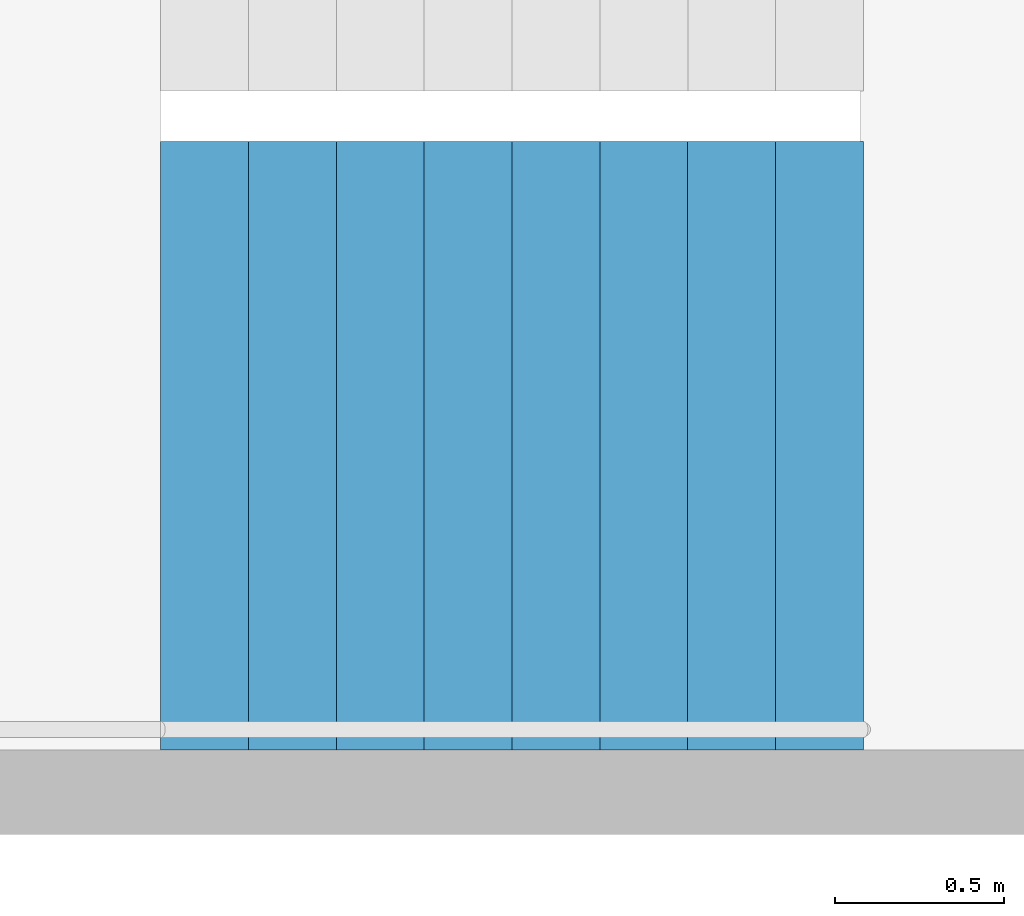
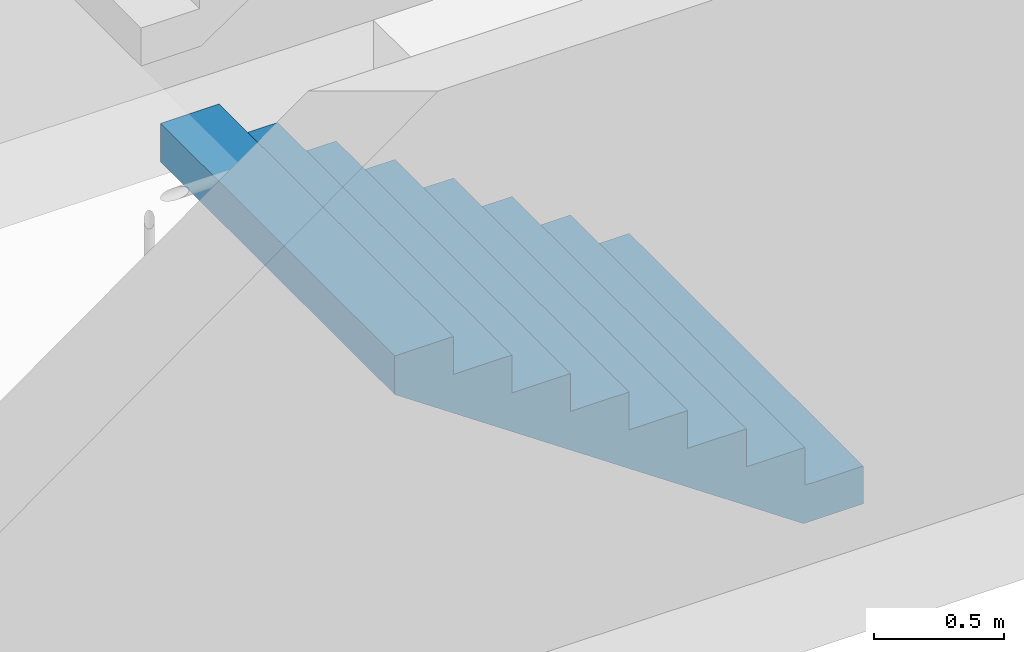
# One storey, part 27 of 29: 1 stair flight, 1 element without a shape of its own.
"""IFC4 building model written with IfcOpenShell, lengths in metres."""

from ifc_helpers import new_model, si_unit, direction, frame, origin, place, context, subcontext, project, spatial, triangles, material, type_object, element, aggregate, save


model = new_model("IFC4")

# Units and contexts
model_context = context("Model", 3, precision=1e-05, world=origin(), true_north=direction((0.0, 1.0)))
body_context = subcontext(model_context, "Body", "Model", "MODEL_VIEW")
ifc_project = project(units=[si_unit("LENGTHUNIT", "METRE"), si_unit("AREAUNIT", "SQUARE_METRE"), si_unit("VOLUMEUNIT", "CUBIC_METRE"), si_unit("PLANEANGLEUNIT", "RADIAN"), si_unit("MASSUNIT", "GRAM", prefix="KILO")], contexts=[model_context])

# Site, building, storey
site_placement = place(None, origin())
site = spatial("IfcSite", under=ifc_project, at=site_placement, CompositionType="ELEMENT")
building_placement = place(site_placement, origin())
building = spatial("IfcBuilding", under=site, at=building_placement, Name="Hakoniwa Tower and Hamabe Station Hall", CompositionType="ELEMENT")
storey_placement = place(building_placement, frame((0.0, 0.0, 97.800048828125)))
storey = spatial("IfcBuildingStorey", under=building, at=storey_placement, Name="L27", CompositionType="ELEMENT", Elevation=97.800048828125)

# Stair, stair flight
ifc_material_1 = material(Name="Concrete C40", Category="concrete")
stair_type = type_object("IfcStairType", Name="ESCAPE STAIR 1800", PredefinedType="HALF_TURN_STAIR", material=ifc_material_1)
stair_placement = place(storey_placement, origin())
stair = element("IfcStair", 1, at=stair_placement, inside=storey, type_object=stair_type, Name="Escape stair ST-3 L27", PredefinedType="HALF_TURN_STAIR")
ifc_material_2 = material(Name="Concrete C40", Category="concrete")
stair_flight_type = type_object("IfcStairFlightType", Name="STAIR FLIGHT 1800", PredefinedType="STRAIGHT", material=ifc_material_2)
stair_flight_placement = place(storey_placement, frame((24.39990234375, 4.64990234375, 0.0), z_axis=(0.0, 0.0, 1.0), x_axis=(-1.0, 0.0, 0.0)))
stair_flight = element("IfcStairFlight", 2, at=stair_flight_placement, type_object=stair_flight_type, Name="ST-3 flight 1", NumberOfRisers=9, NumberOfTreads=8, PredefinedType="STRAIGHT", RiserHeight=0.177777778, TreadLength=0.26, context=body_context, shape_type="Tessellation", body=[
    triangles([(0.0, 0.89990234375, 0.0), (0.260009765625, 0.89990234375, 0.0), (0.265625, 0.89990234375, 0.0), (0.52001953125, 0.89990234375, 0.174072265625), (0.780029296875, 0.89990234375, 0.351806640625), (1.0400390625, 0.89990234375, 0.529541015625), (1.300048828125, 0.89990234375, 0.707275390625), (1.56005859375, 0.89990234375, 0.885009765625), (1.820068359375, 0.89990234375, 1.062744140625), (2.080078125, 0.89990234375, 1.24072265625), (2.080078125, 0.89990234375, 1.422119140625), (1.820068359375, 0.89990234375, 1.422119140625), (1.820068359375, 0.89990234375, 1.244384765625), (1.56005859375, 0.89990234375, 1.244384765625), (1.56005859375, 0.89990234375, 1.066650390625), (1.300048828125, 0.89990234375, 1.066650390625), (1.300048828125, 0.89990234375, 0.888916015625), (1.0400390625, 0.89990234375, 0.888916015625), (1.0400390625, 0.89990234375, 0.711181640625), (0.780029296875, 0.89990234375, 0.711181640625), (0.780029296875, 0.89990234375, 0.533447265625), (0.52001953125, 0.89990234375, 0.533447265625), (0.52001953125, 0.89990234375, 0.35546875), (0.265625, 0.89990234375, 0.35546875), (0.260009765625, 0.89990234375, 0.35546875), (0.260009765625, 0.89990234375, 0.177734375), (0.0, 0.89990234375, 0.177734375), (0.0, 0.06005859375, 0.0), (0.260009765625, 0.06005859375, 0.0), (0.265625, 0.06005859375, 0.0), (0.52001953125, 0.06005859375, 0.174072265625), (0.780029296875, 0.06005859375, 0.351806640625), (1.0400390625, 0.06005859375, 0.529541015625), (1.300048828125, 0.06005859375, 0.707275390625), (1.56005859375, 0.06005859375, 0.885009765625), (1.820068359375, 0.06005859375, 1.062744140625), (2.080078125, 0.06005859375, 1.24072265625), (2.080078125, 0.06005859375, 1.422119140625), (1.820068359375, 0.06005859375, 1.422119140625), (1.820068359375, 0.06005859375, 1.244384765625), (1.56005859375, 0.06005859375, 1.244384765625), (1.56005859375, 0.06005859375, 1.066650390625), (1.300048828125, 0.06005859375, 1.066650390625), (1.300048828125, 0.06005859375, 0.888916015625), (1.0400390625, 0.06005859375, 0.888916015625), (1.0400390625, 0.06005859375, 0.711181640625), (0.780029296875, 0.06005859375, 0.711181640625), (0.780029296875, 0.06005859375, 0.533447265625), (0.52001953125, 0.06005859375, 0.533447265625), (0.52001953125, 0.06005859375, 0.35546875), (0.265625, 0.06005859375, 0.35546875), (0.260009765625, 0.06005859375, 0.35546875), (0.260009765625, 0.06005859375, 0.177734375), (0.0, 0.06005859375, 0.177734375), (0.0, 0.04296875, 0.0), (0.260009765625, 0.04296875, 0.0), (0.265625, 0.04296875, 0.0), (0.52001953125, 0.04296875, 0.174072265625), (0.780029296875, 0.04296875, 0.351806640625), (1.0400390625, 0.04296875, 0.529541015625), (1.300048828125, 0.04296875, 0.707275390625), (1.56005859375, 0.04296875, 0.885009765625), (1.820068359375, 0.04296875, 1.062744140625), (2.080078125, 0.04296875, 1.24072265625), (2.080078125, 0.04296875, 1.422119140625), (1.820068359375, 0.04296875, 1.422119140625), (1.820068359375, 0.04296875, 1.244384765625), (1.56005859375, 0.04296875, 1.244384765625), (1.56005859375, 0.04296875, 1.066650390625), (1.300048828125, 0.04296875, 1.066650390625), (1.300048828125, 0.04296875, 0.888916015625), (1.0400390625, 0.04296875, 0.888916015625), (1.0400390625, 0.04296875, 0.711181640625), (0.780029296875, 0.04296875, 0.711181640625), (0.780029296875, 0.04296875, 0.533447265625), (0.52001953125, 0.04296875, 0.533447265625), (0.52001953125, 0.04296875, 0.35546875), (0.265625, 0.04296875, 0.35546875), (0.260009765625, 0.04296875, 0.35546875), (0.260009765625, 0.04296875, 0.177734375), (0.0, 0.04296875, 0.177734375), (0.0, 0.025634765625, 0.0), (0.260009765625, 0.025634765625, 0.0), (0.265625, 0.025634765625, 0.0), (0.52001953125, 0.025634765625, 0.174072265625), (0.780029296875, 0.025634765625, 0.351806640625), (1.0400390625, 0.025634765625, 0.529541015625), (1.300048828125, 0.025634765625, 0.707275390625), (1.56005859375, 0.025634765625, 0.885009765625), (1.820068359375, 0.025634765625, 1.062744140625), (2.080078125, 0.025634765625, 1.24072265625), (2.080078125, 0.025634765625, 1.422119140625), (1.820068359375, 0.025634765625, 1.422119140625), (1.820068359375, 0.025634765625, 1.244384765625), (1.56005859375, 0.025634765625, 1.244384765625), (1.56005859375, 0.025634765625, 1.066650390625), (1.300048828125, 0.025634765625, 1.066650390625), (1.300048828125, 0.025634765625, 0.888916015625), (1.0400390625, 0.025634765625, 0.888916015625), (1.0400390625, 0.025634765625, 0.711181640625), (0.780029296875, 0.025634765625, 0.711181640625), (0.780029296875, 0.025634765625, 0.533447265625), (0.52001953125, 0.025634765625, 0.533447265625), (0.52001953125, 0.025634765625, 0.35546875), (0.265625, 0.025634765625, 0.35546875), (0.260009765625, 0.025634765625, 0.35546875), (0.260009765625, 0.025634765625, 0.177734375), (0.0, 0.025634765625, 0.177734375), (0.0, 0.008544921875, 0.0), (0.260009765625, 0.008544921875, 0.0), (0.265625, 0.008544921875, 0.0), (0.52001953125, 0.008544921875, 0.174072265625), (0.780029296875, 0.008544921875, 0.351806640625), (1.0400390625, 0.008544921875, 0.529541015625), (1.300048828125, 0.008544921875, 0.707275390625), (1.56005859375, 0.008544921875, 0.885009765625), (1.820068359375, 0.008544921875, 1.062744140625), (2.080078125, 0.008544921875, 1.24072265625), (2.080078125, 0.008544921875, 1.422119140625), (1.820068359375, 0.008544921875, 1.422119140625), (1.820068359375, 0.008544921875, 1.244384765625), (1.56005859375, 0.008544921875, 1.244384765625), (1.56005859375, 0.008544921875, 1.066650390625), (1.300048828125, 0.008544921875, 1.066650390625), (1.300048828125, 0.008544921875, 0.888916015625), (1.0400390625, 0.008544921875, 0.888916015625), (1.0400390625, 0.008544921875, 0.711181640625), (0.780029296875, 0.008544921875, 0.711181640625), (0.780029296875, 0.008544921875, 0.533447265625), (0.52001953125, 0.008544921875, 0.533447265625), (0.52001953125, 0.008544921875, 0.35546875), (0.265625, 0.008544921875, 0.35546875), (0.260009765625, 0.008544921875, 0.35546875), (0.260009765625, 0.008544921875, 0.177734375), (0.0, 0.008544921875, 0.177734375), (0.0, -0.008544921875, 0.0), (0.260009765625, -0.008544921875, 0.0), (0.265625, -0.008544921875, 0.0), (0.52001953125, -0.008544921875, 0.174072265625), (0.780029296875, -0.008544921875, 0.351806640625), (1.0400390625, -0.008544921875, 0.529541015625), (1.300048828125, -0.008544921875, 0.707275390625), (1.56005859375, -0.008544921875, 0.885009765625), (1.820068359375, -0.008544921875, 1.062744140625), (2.080078125, -0.008544921875, 1.24072265625), (2.080078125, -0.008544921875, 1.422119140625), (1.820068359375, -0.008544921875, 1.422119140625), (1.820068359375, -0.008544921875, 1.244384765625), (1.56005859375, -0.008544921875, 1.244384765625), (1.56005859375, -0.008544921875, 1.066650390625), (1.300048828125, -0.008544921875, 1.066650390625), (1.300048828125, -0.008544921875, 0.888916015625), (1.0400390625, -0.008544921875, 0.888916015625), (1.0400390625, -0.008544921875, 0.711181640625), (0.780029296875, -0.008544921875, 0.711181640625), (0.780029296875, -0.008544921875, 0.533447265625), (0.52001953125, -0.008544921875, 0.533447265625), (0.52001953125, -0.008544921875, 0.35546875), (0.265625, -0.008544921875, 0.35546875), (0.260009765625, -0.008544921875, 0.35546875), (0.260009765625, -0.008544921875, 0.177734375), (0.0, -0.008544921875, 0.177734375), (0.0, -0.025634765625, 0.0), (0.260009765625, -0.025634765625, 0.0), (0.265625, -0.025634765625, 0.0), (0.52001953125, -0.025634765625, 0.174072265625), (0.780029296875, -0.025634765625, 0.351806640625), (1.0400390625, -0.025634765625, 0.529541015625), (1.300048828125, -0.025634765625, 0.707275390625), (1.56005859375, -0.025634765625, 0.885009765625), (1.820068359375, -0.025634765625, 1.062744140625), (2.080078125, -0.025634765625, 1.24072265625), (2.080078125, -0.025634765625, 1.422119140625), (1.820068359375, -0.025634765625, 1.422119140625), (1.820068359375, -0.025634765625, 1.244384765625), (1.56005859375, -0.025634765625, 1.244384765625), (1.56005859375, -0.025634765625, 1.066650390625), (1.300048828125, -0.025634765625, 1.066650390625), (1.300048828125, -0.025634765625, 0.888916015625), (1.0400390625, -0.025634765625, 0.888916015625), (1.0400390625, -0.025634765625, 0.711181640625), (0.780029296875, -0.025634765625, 0.711181640625), (0.780029296875, -0.025634765625, 0.533447265625), (0.52001953125, -0.025634765625, 0.533447265625), (0.52001953125, -0.025634765625, 0.35546875), (0.265625, -0.025634765625, 0.35546875), (0.260009765625, -0.025634765625, 0.35546875), (0.260009765625, -0.025634765625, 0.177734375), (0.0, -0.025634765625, 0.177734375), (0.0, -0.04296875, 0.0), (0.260009765625, -0.04296875, 0.0), (0.265625, -0.04296875, 0.0), (0.52001953125, -0.04296875, 0.174072265625), (0.780029296875, -0.04296875, 0.351806640625), (1.0400390625, -0.04296875, 0.529541015625), (1.300048828125, -0.04296875, 0.707275390625), (1.56005859375, -0.04296875, 0.885009765625), (1.820068359375, -0.04296875, 1.062744140625), (2.080078125, -0.04296875, 1.24072265625), (2.080078125, -0.04296875, 1.422119140625), (1.820068359375, -0.04296875, 1.422119140625), (1.820068359375, -0.04296875, 1.244384765625), (1.56005859375, -0.04296875, 1.244384765625), (1.56005859375, -0.04296875, 1.066650390625), (1.300048828125, -0.04296875, 1.066650390625), (1.300048828125, -0.04296875, 0.888916015625), (1.0400390625, -0.04296875, 0.888916015625), (1.0400390625, -0.04296875, 0.711181640625), (0.780029296875, -0.04296875, 0.711181640625), (0.780029296875, -0.04296875, 0.533447265625), (0.52001953125, -0.04296875, 0.533447265625), (0.52001953125, -0.04296875, 0.35546875), (0.265625, -0.04296875, 0.35546875), (0.260009765625, -0.04296875, 0.35546875), (0.260009765625, -0.04296875, 0.177734375), (0.0, -0.04296875, 0.177734375), (0.0, -0.06005859375, 0.0), (0.260009765625, -0.06005859375, 0.0), (0.265625, -0.06005859375, 0.0), (0.52001953125, -0.06005859375, 0.174072265625), (0.780029296875, -0.06005859375, 0.351806640625), (1.0400390625, -0.06005859375, 0.529541015625), (1.300048828125, -0.06005859375, 0.707275390625), (1.56005859375, -0.06005859375, 0.885009765625), (1.820068359375, -0.06005859375, 1.062744140625), (2.080078125, -0.06005859375, 1.24072265625), (2.080078125, -0.06005859375, 1.422119140625), (1.820068359375, -0.06005859375, 1.422119140625), (1.820068359375, -0.06005859375, 1.244384765625), (1.56005859375, -0.06005859375, 1.244384765625), (1.56005859375, -0.06005859375, 1.066650390625), (1.300048828125, -0.06005859375, 1.066650390625), (1.300048828125, -0.06005859375, 0.888916015625), (1.0400390625, -0.06005859375, 0.888916015625), (1.0400390625, -0.06005859375, 0.711181640625), (0.780029296875, -0.06005859375, 0.711181640625), (0.780029296875, -0.06005859375, 0.533447265625), (0.52001953125, -0.06005859375, 0.533447265625), (0.52001953125, -0.06005859375, 0.35546875), (0.265625, -0.06005859375, 0.35546875), (0.260009765625, -0.06005859375, 0.35546875), (0.260009765625, -0.06005859375, 0.177734375), (0.0, -0.06005859375, 0.177734375), (0.0, -0.89990234375, 0.0), (0.260009765625, -0.89990234375, 0.0), (0.265625, -0.89990234375, 0.0), (0.52001953125, -0.89990234375, 0.174072265625), (0.780029296875, -0.89990234375, 0.351806640625), (1.0400390625, -0.89990234375, 0.529541015625), (1.300048828125, -0.89990234375, 0.707275390625), (1.56005859375, -0.89990234375, 0.885009765625), (1.820068359375, -0.89990234375, 1.062744140625), (2.080078125, -0.89990234375, 1.24072265625), (2.080078125, -0.89990234375, 1.422119140625), (1.820068359375, -0.89990234375, 1.422119140625), (1.820068359375, -0.89990234375, 1.244384765625), (1.56005859375, -0.89990234375, 1.244384765625), (1.56005859375, -0.89990234375, 1.066650390625), (1.300048828125, -0.89990234375, 1.066650390625), (1.300048828125, -0.89990234375, 0.888916015625), (1.0400390625, -0.89990234375, 0.888916015625), (1.0400390625, -0.89990234375, 0.711181640625), (0.780029296875, -0.89990234375, 0.711181640625), (0.780029296875, -0.89990234375, 0.533447265625), (0.52001953125, -0.89990234375, 0.533447265625), (0.52001953125, -0.89990234375, 0.35546875), (0.265625, -0.89990234375, 0.35546875), (0.260009765625, -0.89990234375, 0.35546875), (0.260009765625, -0.89990234375, 0.177734375), (0.0, -0.89990234375, 0.177734375)], [[2, 27, 26], [245, 269, 270], [2, 1, 27], [245, 270, 244], [3, 25, 24], [246, 267, 268], [3, 26, 25], [246, 268, 269], [3, 2, 26], [246, 269, 245], [4, 24, 23], [247, 266, 267], [4, 3, 24], [247, 267, 246], [5, 22, 21], [248, 264, 265], [5, 23, 22], [248, 265, 266], [5, 4, 23], [248, 266, 247], [6, 20, 19], [249, 262, 263], [6, 21, 20], [249, 263, 264], [6, 5, 21], [249, 264, 248], [7, 18, 17], [250, 260, 261], [7, 19, 18], [250, 261, 262], [7, 6, 19], [250, 262, 249], [8, 16, 15], [251, 258, 259], [8, 17, 16], [251, 259, 260], [8, 7, 17], [251, 260, 250], [9, 14, 13], [252, 256, 257], [9, 15, 14], [252, 257, 258], [9, 8, 15], [252, 258, 251], [10, 12, 11], [253, 254, 255], [10, 13, 12], [253, 255, 256], [10, 9, 13], [253, 256, 252], [1, 2, 29], [1, 29, 28], [28, 29, 56], [28, 56, 55], [55, 56, 83], [55, 83, 82], [82, 83, 110], [82, 110, 109], [109, 110, 137], [109, 137, 136], [136, 137, 164], [136, 164, 163], [163, 164, 191], [163, 191, 190], [190, 191, 218], [190, 218, 217], [217, 218, 245], [217, 245, 244], [2, 3, 30], [2, 30, 29], [29, 30, 57], [29, 57, 56], [56, 57, 84], [56, 84, 83], [83, 84, 111], [83, 111, 110], [110, 111, 138], [110, 138, 137], [137, 138, 165], [137, 165, 164], [164, 165, 192], [164, 192, 191], [191, 192, 219], [191, 219, 218], [218, 219, 246], [218, 246, 245], [3, 4, 31], [3, 31, 30], [30, 31, 58], [30, 58, 57], [57, 58, 85], [57, 85, 84], [84, 85, 112], [84, 112, 111], [111, 112, 139], [111, 139, 138], [138, 139, 166], [138, 166, 165], [165, 166, 193], [165, 193, 192], [192, 193, 220], [192, 220, 219], [219, 220, 247], [219, 247, 246], [4, 5, 32], [4, 32, 31], [31, 32, 59], [31, 59, 58], [58, 59, 86], [58, 86, 85], [85, 86, 113], [85, 113, 112], [112, 113, 140], [112, 140, 139], [139, 140, 167], [139, 167, 166], [166, 167, 194], [166, 194, 193], [193, 194, 221], [193, 221, 220], [220, 221, 248], [220, 248, 247], [5, 6, 33], [5, 33, 32], [32, 33, 60], [32, 60, 59], [59, 60, 87], [59, 87, 86], [86, 87, 114], [86, 114, 113], [113, 114, 141], [113, 141, 140], [140, 141, 168], [140, 168, 167], [167, 168, 195], [167, 195, 194], [194, 195, 222], [194, 222, 221], [221, 222, 249], [221, 249, 248], [6, 7, 34], [6, 34, 33], [33, 34, 61], [33, 61, 60], [60, 61, 88], [60, 88, 87], [87, 88, 115], [87, 115, 114], [114, 115, 142], [114, 142, 141], [141, 142, 169], [141, 169, 168], [168, 169, 196], [168, 196, 195], [195, 196, 223], [195, 223, 222], [222, 223, 250], [222, 250, 249], [7, 8, 35], [7, 35, 34], [34, 35, 62], [34, 62, 61], [61, 62, 89], [61, 89, 88], [88, 89, 116], [88, 116, 115], [115, 116, 143], [115, 143, 142], [142, 143, 170], [142, 170, 169], [169, 170, 197], [169, 197, 196], [196, 197, 224], [196, 224, 223], [223, 224, 251], [223, 251, 250], [8, 9, 36], [8, 36, 35], [35, 36, 63], [35, 63, 62], [62, 63, 90], [62, 90, 89], [89, 90, 117], [89, 117, 116], [116, 117, 144], [116, 144, 143], [143, 144, 171], [143, 171, 170], [170, 171, 198], [170, 198, 197], [197, 198, 225], [197, 225, 224], [224, 225, 252], [224, 252, 251], [9, 10, 37], [9, 37, 36], [36, 37, 64], [36, 64, 63], [63, 64, 91], [63, 91, 90], [90, 91, 118], [90, 118, 117], [117, 118, 145], [117, 145, 144], [144, 145, 172], [144, 172, 171], [171, 172, 199], [171, 199, 198], [198, 199, 226], [198, 226, 225], [225, 226, 253], [225, 253, 252], [10, 11, 38], [10, 38, 37], [37, 38, 65], [37, 65, 64], [64, 65, 92], [64, 92, 91], [91, 92, 119], [91, 119, 118], [118, 119, 146], [118, 146, 145], [145, 146, 173], [145, 173, 172], [172, 173, 200], [172, 200, 199], [199, 200, 227], [199, 227, 226], [226, 227, 254], [226, 254, 253], [11, 12, 39], [11, 39, 38], [38, 39, 66], [38, 66, 65], [65, 66, 93], [65, 93, 92], [92, 93, 120], [92, 120, 119], [119, 120, 147], [119, 147, 146], [146, 147, 174], [146, 174, 173], [173, 174, 201], [173, 201, 200], [200, 201, 228], [200, 228, 227], [227, 228, 255], [227, 255, 254], [12, 13, 40], [12, 40, 39], [39, 40, 67], [39, 67, 66], [66, 67, 94], [66, 94, 93], [93, 94, 121], [93, 121, 120], [120, 121, 148], [120, 148, 147], [147, 148, 175], [147, 175, 174], [174, 175, 202], [174, 202, 201], [201, 202, 229], [201, 229, 228], [228, 229, 256], [228, 256, 255], [13, 14, 41], [13, 41, 40], [40, 41, 68], [40, 68, 67], [67, 68, 95], [67, 95, 94], [94, 95, 122], [94, 122, 121], [121, 122, 149], [121, 149, 148], [148, 149, 176], [148, 176, 175], [175, 176, 203], [175, 203, 202], [202, 203, 230], [202, 230, 229], [229, 230, 257], [229, 257, 256], [14, 15, 42], [14, 42, 41], [41, 42, 69], [41, 69, 68], [68, 69, 96], [68, 96, 95], [95, 96, 123], [95, 123, 122], [122, 123, 150], [122, 150, 149], [149, 150, 177], [149, 177, 176], [176, 177, 204], [176, 204, 203], [203, 204, 231], [203, 231, 230], [230, 231, 258], [230, 258, 257], [15, 16, 43], [15, 43, 42], [42, 43, 70], [42, 70, 69], [69, 70, 97], [69, 97, 96], [96, 97, 124], [96, 124, 123], [123, 124, 151], [123, 151, 150], [150, 151, 178], [150, 178, 177], [177, 178, 205], [177, 205, 204], [204, 205, 232], [204, 232, 231], [231, 232, 259], [231, 259, 258], [16, 17, 44], [16, 44, 43], [43, 44, 71], [43, 71, 70], [70, 71, 98], [70, 98, 97], [97, 98, 125], [97, 125, 124], [124, 125, 152], [124, 152, 151], [151, 152, 179], [151, 179, 178], [178, 179, 206], [178, 206, 205], [205, 206, 233], [205, 233, 232], [232, 233, 260], [232, 260, 259], [17, 18, 45], [17, 45, 44], [44, 45, 72], [44, 72, 71], [71, 72, 99], [71, 99, 98], [98, 99, 126], [98, 126, 125], [125, 126, 153], [125, 153, 152], [152, 153, 180], [152, 180, 179], [179, 180, 207], [179, 207, 206], [206, 207, 234], [206, 234, 233], [233, 234, 261], [233, 261, 260], [18, 19, 46], [18, 46, 45], [45, 46, 73], [45, 73, 72], [72, 73, 100], [72, 100, 99], [99, 100, 127], [99, 127, 126], [126, 127, 154], [126, 154, 153], [153, 154, 181], [153, 181, 180], [180, 181, 208], [180, 208, 207], [207, 208, 235], [207, 235, 234], [234, 235, 262], [234, 262, 261], [19, 20, 47], [19, 47, 46], [46, 47, 74], [46, 74, 73], [73, 74, 101], [73, 101, 100], [100, 101, 128], [100, 128, 127], [127, 128, 155], [127, 155, 154], [154, 155, 182], [154, 182, 181], [181, 182, 209], [181, 209, 208], [208, 209, 236], [208, 236, 235], [235, 236, 263], [235, 263, 262], [20, 21, 48], [20, 48, 47], [47, 48, 75], [47, 75, 74], [74, 75, 102], [74, 102, 101], [101, 102, 129], [101, 129, 128], [128, 129, 156], [128, 156, 155], [155, 156, 183], [155, 183, 182], [182, 183, 210], [182, 210, 209], [209, 210, 237], [209, 237, 236], [236, 237, 264], [236, 264, 263], [21, 22, 49], [21, 49, 48], [48, 49, 76], [48, 76, 75], [75, 76, 103], [75, 103, 102], [102, 103, 130], [102, 130, 129], [129, 130, 157], [129, 157, 156], [156, 157, 184], [156, 184, 183], [183, 184, 211], [183, 211, 210], [210, 211, 238], [210, 238, 237], [237, 238, 265], [237, 265, 264], [22, 23, 50], [22, 50, 49], [49, 50, 77], [49, 77, 76], [76, 77, 104], [76, 104, 103], [103, 104, 131], [103, 131, 130], [130, 131, 158], [130, 158, 157], [157, 158, 185], [157, 185, 184], [184, 185, 212], [184, 212, 211], [211, 212, 239], [211, 239, 238], [238, 239, 266], [238, 266, 265], [23, 24, 51], [23, 51, 50], [50, 51, 78], [50, 78, 77], [77, 78, 105], [77, 105, 104], [104, 105, 132], [104, 132, 131], [131, 132, 159], [131, 159, 158], [158, 159, 186], [158, 186, 185], [185, 186, 213], [185, 213, 212], [212, 213, 240], [212, 240, 239], [239, 240, 267], [239, 267, 266], [24, 25, 52], [24, 52, 51], [51, 52, 79], [51, 79, 78], [78, 79, 106], [78, 106, 105], [105, 106, 133], [105, 133, 132], [132, 133, 160], [132, 160, 159], [159, 160, 187], [159, 187, 186], [186, 187, 214], [186, 214, 213], [213, 214, 241], [213, 241, 240], [240, 241, 268], [240, 268, 267], [25, 26, 53], [25, 53, 52], [52, 53, 80], [52, 80, 79], [79, 80, 107], [79, 107, 106], [106, 107, 134], [106, 134, 133], [133, 134, 161], [133, 161, 160], [160, 161, 188], [160, 188, 187], [187, 188, 215], [187, 215, 214], [214, 215, 242], [214, 242, 241], [241, 242, 269], [241, 269, 268], [26, 27, 54], [26, 54, 53], [53, 54, 81], [53, 81, 80], [80, 81, 108], [80, 108, 107], [107, 108, 135], [107, 135, 134], [134, 135, 162], [134, 162, 161], [161, 162, 189], [161, 189, 188], [188, 189, 216], [188, 216, 215], [215, 216, 243], [215, 243, 242], [242, 243, 270], [242, 270, 269], [27, 1, 28], [27, 28, 54], [54, 28, 55], [54, 55, 81], [81, 55, 82], [81, 82, 108], [108, 82, 109], [108, 109, 135], [135, 109, 136], [135, 136, 162], [162, 136, 163], [162, 163, 189], [189, 163, 190], [189, 190, 216], [216, 190, 217], [216, 217, 243], [243, 217, 244], [243, 244, 270]], closed=True),
])
aggregate(stair, [stair_flight])

save(model, "model.ifc")
